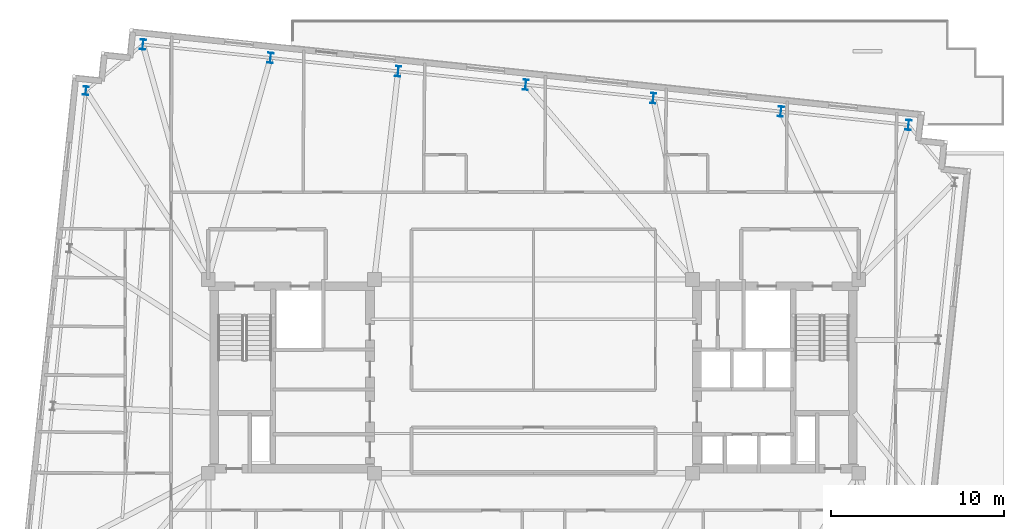
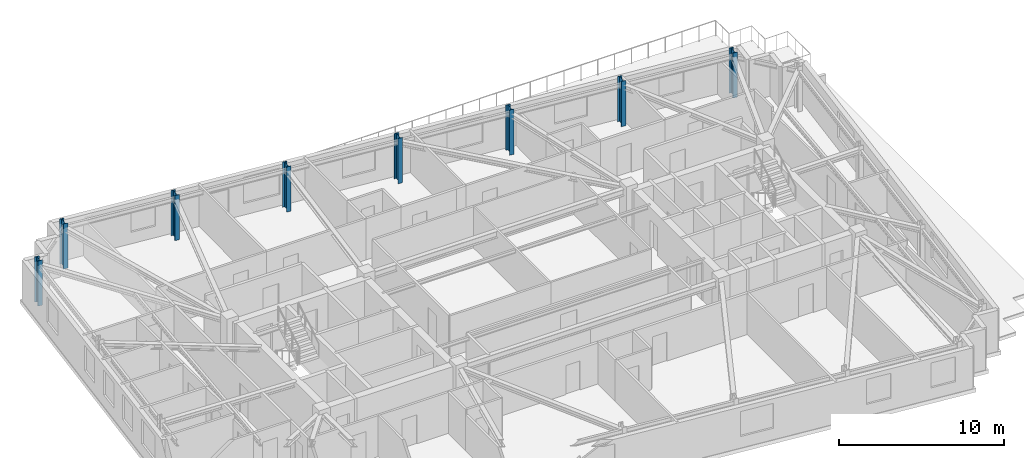
# One storey, part 3 of 13: 8 columns.
"""IFC4 building model written with IfcOpenShell, lengths in metres."""

from ifc_helpers import new_model, si_unit, direction, frame, origin, origin_2d, place, context, subcontext, project, spatial, i_section, extrude, material, material_profile, profile_set, type_object, element, save


model = new_model("IFC4")

# Units and contexts
model_context = context("Model", 3, precision=1e-05, world=origin(), true_north=direction((0.0, 1.0)))
body_context = subcontext(model_context, "Body", "Model", "MODEL_VIEW")
ifc_project = project(units=[si_unit("LENGTHUNIT", "METRE"), si_unit("AREAUNIT", "SQUARE_METRE"), si_unit("VOLUMEUNIT", "CUBIC_METRE"), si_unit("PLANEANGLEUNIT", "RADIAN"), si_unit("MASSUNIT", "GRAM", prefix="KILO")], contexts=[model_context])

# Site, building, storey
site_placement = place(None, origin())
site = spatial("IfcSite", under=ifc_project, at=site_placement, CompositionType="ELEMENT")
building_placement = place(site_placement, origin())
building = spatial("IfcBuilding", under=site, at=building_placement, Name="Qobustan Lattice House", CompositionType="ELEMENT")
storey_placement = place(building_placement, frame((0.0, 0.0, 179.64990234375)))
storey = spatial("IfcBuildingStorey", under=building, at=storey_placement, Name="L50", CompositionType="ELEMENT", Elevation=179.64990234375)

# Columns
ifc_material_1 = material(Name="Steel S355", Category="steel")
ifc_material_profile_1 = material_profile(ifc_material_1, i_section(OverallWidth=0.300048828125, OverallDepth=0.5, WebThickness=0.014404296875, FlangeThickness=0.028076171875, FilletRadius=0.027099609375, at=origin_2d()), Name="HEB500")
ifc_profile_set_1 = profile_set([ifc_material_profile_1], Name="Steel S355")
column_type_1 = type_object("IfcColumnType", Name="COL-ST-HEB500", PredefinedType="COLUMN", material=ifc_profile_set_1)
column_placement = place(storey_placement, frame((-25.87451171875, 16.513916015625, 0.0), z_axis=(0.0, 0.0, 1.0), x_axis=(0.994521895368, -0.104528463268, 0.0)))
element("IfcColumn", 1, at=column_placement, inside=storey, type_object=column_type_1, Name="L50 B4 perimeter column W1", PredefinedType="COLUMN", context=body_context, shape_type="SweptSolid", body=[
    extrude(i_section(OverallWidth=0.300048828125, OverallDepth=0.5, WebThickness=0.014404296875, FlangeThickness=0.028076171875, FilletRadius=0.027099609375, at=origin_2d()), origin(), (0.0, 0.0, 1.0), 3.35009765625),
])
ifc_material_2 = material(Name="Steel S355", Category="steel")
ifc_material_profile_2 = material_profile(ifc_material_2, i_section(OverallWidth=0.300048828125, OverallDepth=0.60009765625, WebThickness=0.015380859375, FlangeThickness=0.030029296875, FilletRadius=0.027099609375, at=origin_2d()), Name="HEB600")
ifc_profile_set_2 = profile_set([ifc_material_profile_2], Name="Steel S355")
column_type_2 = type_object("IfcColumnType", Name="COL-ST-HEB600", PredefinedType="COLUMN", material=ifc_profile_set_2)
for number, where, z_axis, x_axis, name in (
    (2, (21.678955078125, 14.532470703125, 0.0), (0.0, 0.0, 1.0), (0.994521895368, -0.104528463268, 0.0), "L50 B4 perimeter column N1"),
    (3, (14.302978515625, 15.3076171875, 0.0), (0.0, 0.0, 1.0), (0.994521895368, -0.104528463268, 0.0), "L50 B4 perimeter column N2"),
    (4, (6.927001953125, 16.0830078125, 0.0), (0.0, 0.0, 1.0), (0.994521895368, -0.104528463268, 0.0), "L50 B4 perimeter column N3"),
    (5, (-0.44921875, 16.858154296875, 0.0), (0.0, 0.0, 1.0), (0.994521895368, -0.104528463268, 0.0), "L50 B4 perimeter column N4"),
    (6, (-7.8251953125, 17.633544921875, 0.0), (0.0, 0.0, 1.0), (0.994521895368, -0.104528463268, 0.0), "L50 B4 perimeter column N5"),
    (7, (-15.201171875, 18.40869140625, 0.0), (0.0, 0.0, 1.0), (0.994521895368, -0.104528463268, 0.0), "L50 B4 perimeter column N6"),
    (8, (-22.577392578125, 19.18408203125, 0.0), (0.0, 0.0, 1.0), (0.994521895368, -0.104528463268, 0.0), "L50 B4 perimeter column N7"),
):
    element("IfcColumn", number, at=place(storey_placement, frame(where, z_axis=z_axis, x_axis=x_axis)), inside=storey, type_object=column_type_2, Name=name, PredefinedType="COLUMN", context=body_context, shape_type="SweptSolid", body=[
        extrude(i_section(OverallWidth=0.300048828125, OverallDepth=0.60009765625, WebThickness=0.015380859375, FlangeThickness=0.030029296875, FilletRadius=0.027099609375, at=origin_2d()), origin(), (0.0, 0.0, 1.0), 3.35009765625),
    ])

save(model, "model.ifc")
